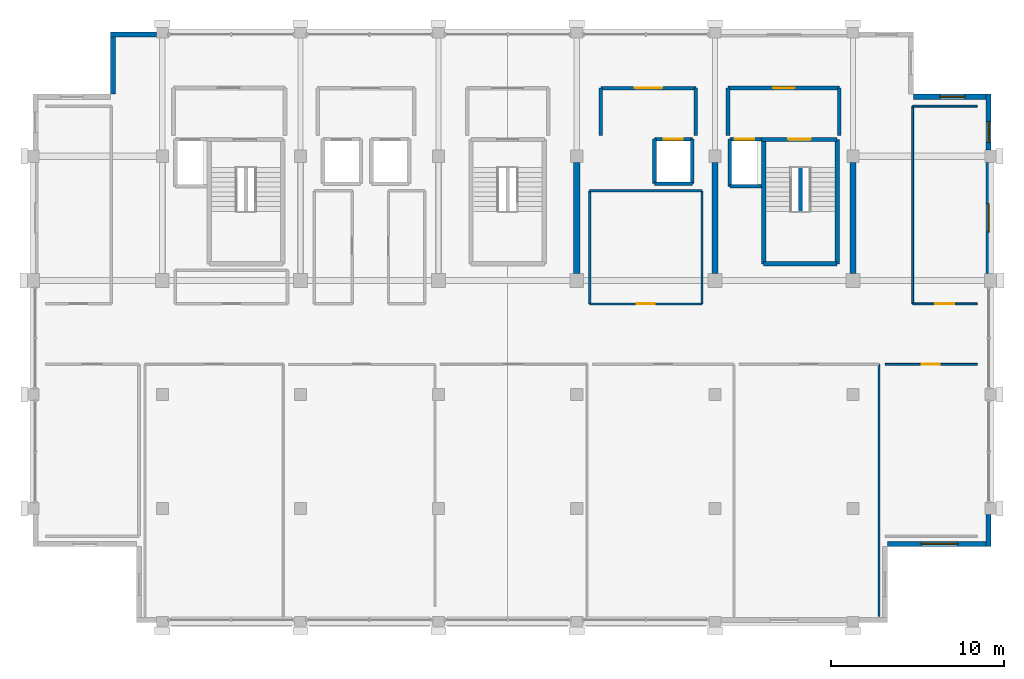
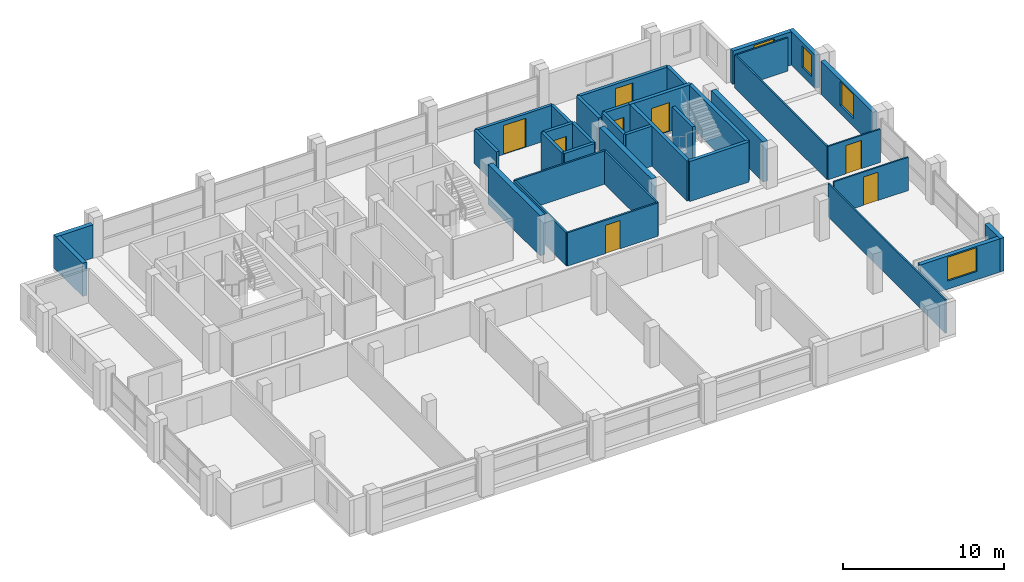
# One storey, part 22 of 24: 37 walls, 8 doors, 4 windows, 12 openings.
"""IFC4 building model written with IfcOpenShell, lengths in metres."""

from ifc_helpers import new_model, si_unit, direction, frame, frame_2d, origin, place, context, subcontext, project, spatial, rectangle, extrude, material, layer, layer_set, type_object, element, fill, save


model = new_model("IFC4")

# Units and contexts
model_context = context("Model", 3, precision=1e-05, world=origin(), true_north=direction((0.0, 1.0)))
body_context = subcontext(model_context, "Body", "Model", "MODEL_VIEW")
ifc_project = project(units=[si_unit("LENGTHUNIT", "METRE"), si_unit("AREAUNIT", "SQUARE_METRE"), si_unit("VOLUMEUNIT", "CUBIC_METRE"), si_unit("PLANEANGLEUNIT", "RADIAN"), si_unit("MASSUNIT", "GRAM", prefix="KILO")], contexts=[model_context])

# Site, building, storey
site_placement = place(None, origin())
site = spatial("IfcSite", under=ifc_project, at=site_placement, CompositionType="ELEMENT")
building_placement = place(site_placement, origin())
building = spatial("IfcBuilding", under=site, at=building_placement, Name="Akrevak Sports Hall", CompositionType="ELEMENT")
storey_placement = place(building_placement, frame((0.0, 0.0, 56.800048828125)))
storey = spatial("IfcBuildingStorey", under=building, at=storey_placement, Name="L14", CompositionType="ELEMENT", Elevation=56.800048828125)

# Wall, opening, window
ifc_material_1 = material(Name="Limestone Ashlar", Category="stone")
ifc_layer_1 = layer(ifc_material_1, 0.06005859375, Name="Limestone Ashlar")
ifc_material_2 = material(Name="Mineral Wool Thermal Insulation", Category="insulation")
ifc_layer_2 = layer(ifc_material_2, 0.090087890625, Name="Mineral Wool Thermal Insulation")
ifc_material_3 = material(Name="Concrete C40/50", Category="concrete")
ifc_layer_3 = layer(ifc_material_3, 0.14990234375, Name="Concrete C40/50")
ifc_layer_set_1 = layer_set([ifc_layer_1, ifc_layer_2, ifc_layer_3], Name="Limestone Ashlar / Mineral Wool Thermal Insulation / Concrete C40/50")
wall_type_1 = type_object("IfcWallType", Name="ARC-WL-EXT-300", PredefinedType="SOLIDWALL", material=ifc_layer_set_1)
wall_1_placement = place(storey_placement, frame((102.0, 39.949951171875, 0.0), z_axis=(0.0, 0.0, 1.0), x_axis=(1.0, 0.0, 0.0)))
wall_1 = element("IfcWall", 1, at=wall_1_placement, inside=storey, type_object=wall_type_1, Name="Tower Stone Facade Wall L14-S09", PredefinedType="SOLIDWALL", context=body_context, shape_type="SweptSolid", body=[
    extrude(rectangle(XDim=6.0, YDim=0.300048828125, at=frame_2d((3.0, 0.0))), origin(), (0.0, 0.0, 1.0), 2.530029296875),
])
opening_1_placement = place(wall_1_placement, frame((1.949951171875, 0.0, 0.6201171875)))
opening_1 = element("IfcOpeningElement", 2, at=opening_1_placement, cuts=wall_1, Name="Opening WN-55", PredefinedType="OPENING", context=body_context, shape_type="SweptSolid", body=[
    extrude(rectangle(XDim=2.10009765625, YDim=1.81005859375, at=frame_2d((1.050048828125, 0.905029296875))), frame((0.0, 0.162109375, 0.0), z_axis=(0.0, -1.0, 0.0), x_axis=(1.0, 0.0, 0.0)), (0.0, 0.0, 1.0), 0.323974609375),
])
ifc_material_4 = material(Name="Thermally Broken Bronze Frame & Double Low-E Glass", Category="glass")
window_type_1 = type_object("IfcWindowType", Name="ARC-WIN-SZ-2100x1810", PartitioningType="SINGLE_PANEL", PredefinedType="WINDOW", material=ifc_material_4)
window_1_placement = place(opening_1_placement, origin())
window_1 = element("IfcWindow", 3, at=window_1_placement, inside=storey, type_object=window_type_1, Name="Tower Window L14-S09", OverallHeight=1.81005859375, OverallWidth=2.10009765625, PartitioningType="SINGLE_PANEL", PredefinedType="WINDOW", context=body_context, shape_type="SweptSolid", body=[
    extrude(rectangle(XDim=2.10009765625, YDim=1.81005859375, at=frame_2d((1.050048828125, 0.905029296875))), frame((0.0, 0.030029296875, 0.0), z_axis=(0.0, -1.0, 0.0), x_axis=(1.0, 0.0, 0.0)), (0.0, 0.0, 1.0), 0.06005859375),
])
fill(opening_1, window_1)

# Wall
wall_2_placement = place(storey_placement, frame((107.85009765625, 39.800048828125, 0.0), z_axis=(0.0, 0.0, 1.0), x_axis=(0.0, 1.0, 0.0)))
element("IfcWall", 4, at=wall_2_placement, inside=storey, type_object=wall_type_1, Name="Tower Stone Facade Wall L14-E10", PredefinedType="SOLIDWALL", context=body_context, shape_type="SweptSolid", body=[
    extrude(rectangle(XDim=1.849853515625, YDim=0.300048828125, at=frame_2d((0.9248046875, 0.0))), origin(), (0.0, 0.0, 1.0), 2.530029296875),
])

# Wall, opening, window
wall_3_placement = place(storey_placement, frame((107.85009765625, 55.60009765625, 0.0), z_axis=(0.0, 0.0, 1.0), x_axis=(0.0, 1.0, 0.0)))
wall_3 = element("IfcWall", 5, at=wall_3_placement, inside=storey, type_object=wall_type_1, Name="Tower Stone Facade Wall L14-E13", PredefinedType="SOLIDWALL", context=body_context, shape_type="SweptSolid", body=[
    extrude(rectangle(XDim=6.449951171875, YDim=0.300048828125, at=frame_2d((3.22509765625, 0.0))), origin(), (0.0, 0.0, 1.0), 2.530029296875),
])
opening_2_placement = place(wall_3_placement, frame((2.39990234375, 0.0, 0.6201171875)))
opening_2 = element("IfcOpeningElement", 6, at=opening_2_placement, cuts=wall_3, Name="Opening WN-58", PredefinedType="OPENING", context=body_context, shape_type="SweptSolid", body=[
    extrude(rectangle(XDim=1.64990234375, YDim=1.81005859375, at=frame_2d((0.824951171875, 0.905029296875))), frame((0.0, 0.162109375, 0.0), z_axis=(0.0, -1.0, 0.0), x_axis=(1.0, 0.0, 0.0)), (0.0, 0.0, 1.0), 0.323974609375),
])
window_type_2 = type_object("IfcWindowType", Name="ARC-WIN-SZ-1650x1810", PartitioningType="SINGLE_PANEL", PredefinedType="WINDOW", material=ifc_material_4)
window_2_placement = place(opening_2_placement, origin())
window_2 = element("IfcWindow", 7, at=window_2_placement, inside=storey, type_object=window_type_2, Name="Tower Window L14-E13", OverallHeight=1.81005859375, OverallWidth=1.64990234375, PartitioningType="SINGLE_PANEL", PredefinedType="WINDOW", context=body_context, shape_type="SweptSolid", body=[
    extrude(rectangle(XDim=1.64990234375, YDim=1.81005859375, at=frame_2d((0.824951171875, 0.905029296875))), frame((0.0, 0.030029296875, 0.0), z_axis=(0.0, -1.0, 0.0), x_axis=(1.0, 0.0, 0.0)), (0.0, 0.0, 1.0), 0.06005859375),
])
fill(opening_2, window_2)

wall_4_placement = place(storey_placement, frame((107.85009765625, 62.75, 0.0), z_axis=(0.0, 0.0, 1.0), x_axis=(0.0, 1.0, 0.0)))
wall_4 = element("IfcWall", 8, at=wall_4_placement, inside=storey, type_object=wall_type_1, Name="Tower Stone Facade Wall L14-E14", PredefinedType="SOLIDWALL", context=body_context, shape_type="SweptSolid", body=[
    extrude(rectangle(XDim=3.25, YDim=0.300048828125, at=frame_2d((1.625, 0.0))), origin(), (0.0, 0.0, 1.0), 2.530029296875),
])
opening_3_placement = place(wall_4_placement, frame((0.449951171875, 0.0, 0.6201171875)))
opening_3 = element("IfcOpeningElement", 9, at=opening_3_placement, cuts=wall_4, Name="Opening WN-45", PredefinedType="OPENING", context=body_context, shape_type="SweptSolid", body=[
    extrude(rectangle(XDim=1.199951171875, YDim=1.64990234375, at=frame_2d((0.60009765625, 0.824951171875))), frame((0.0, 0.162109375, 0.0), z_axis=(0.0, -1.0, 0.0), x_axis=(1.0, 0.0, 0.0)), (0.0, 0.0, 1.0), 0.323974609375),
])
window_type_3 = type_object("IfcWindowType", Name="ARC-WIN-SZ-1200x1650", PartitioningType="SINGLE_PANEL", PredefinedType="WINDOW", material=ifc_material_4)
window_3_placement = place(opening_3_placement, origin())
window_3 = element("IfcWindow", 10, at=window_3_placement, inside=storey, type_object=window_type_3, Name="Tower Window L14-E14", OverallHeight=1.64990234375, OverallWidth=1.199951171875, PartitioningType="SINGLE_PANEL", PredefinedType="WINDOW", context=body_context, shape_type="SweptSolid", body=[
    extrude(rectangle(XDim=1.199951171875, YDim=1.64990234375, at=frame_2d((0.60009765625, 0.824951171875))), frame((0.0, 0.030029296875, 0.0), z_axis=(0.0, -1.0, 0.0), x_axis=(1.0, 0.0, 0.0)), (0.0, 0.0, 1.0), 0.06005859375),
])
fill(opening_3, window_3)

wall_5_placement = place(storey_placement, frame((108.0, 65.85009765625, 0.0), z_axis=(0.0, 0.0, 1.0), x_axis=(-1.0, 0.0, 0.0)))
wall_5 = element("IfcWall", 11, at=wall_5_placement, inside=storey, type_object=wall_type_1, Name="Tower Stone Facade Wall L14-N15", PredefinedType="SOLIDWALL", context=body_context, shape_type="SweptSolid", body=[
    extrude(rectangle(XDim=4.5, YDim=0.300048828125, at=frame_2d((2.25, 0.0))), origin(), (0.0, 0.0, 1.0), 2.530029296875),
])
opening_4_placement = place(wall_5_placement, frame((1.52490234375, 0.0, 0.6201171875)))
opening_4 = element("IfcOpeningElement", 12, at=opening_4_placement, cuts=wall_5, Name="Opening WN-51", PredefinedType="OPENING", context=body_context, shape_type="SweptSolid", body=[
    extrude(rectangle(XDim=1.449951171875, YDim=1.81005859375, at=frame_2d((0.72509765625, 0.905029296875))), frame((0.0, 0.162109375, 0.0), z_axis=(0.0, -1.0, 0.0), x_axis=(1.0, 0.0, 0.0)), (0.0, 0.0, 1.0), 0.323974609375),
])
window_type_4 = type_object("IfcWindowType", Name="ARC-WIN-SZ-1450x1810", PartitioningType="SINGLE_PANEL", PredefinedType="WINDOW", material=ifc_material_4)
window_4_placement = place(opening_4_placement, origin())
window_4 = element("IfcWindow", 13, at=window_4_placement, inside=storey, type_object=window_type_4, Name="Tower Window L14-N15", OverallHeight=1.81005859375, OverallWidth=1.449951171875, PartitioningType="SINGLE_PANEL", PredefinedType="WINDOW", context=body_context, shape_type="SweptSolid", body=[
    extrude(rectangle(XDim=1.449951171875, YDim=1.81005859375, at=frame_2d((0.72509765625, 0.905029296875))), frame((0.0, 0.030029296875, 0.0), z_axis=(0.0, -1.0, 0.0), x_axis=(1.0, 0.0, 0.0)), (0.0, 0.0, 1.0), 0.06005859375),
])
fill(opening_4, window_4)

# Walls
wall_6_placement = place(storey_placement, frame((59.64990234375, 69.449951171875, 0.0), z_axis=(0.0, 0.0, 1.0), x_axis=(-1.0, 0.0, 0.0)))
element("IfcWall", 14, at=wall_6_placement, inside=storey, type_object=wall_type_1, Name="Tower Stone Facade Wall L14-N23", PredefinedType="SOLIDWALL", context=body_context, shape_type="SweptSolid", body=[
    extrude(rectangle(XDim=2.64990234375, YDim=0.300048828125, at=frame_2d((1.324951171875, 0.0))), origin(), (0.0, 0.0, 1.0), 2.530029296875),
])
wall_7_placement = place(storey_placement, frame((57.14990234375, 69.60009765625, 0.0), z_axis=(0.0, 0.0, 1.0), x_axis=(0.0, -1.0, 0.0)))
element("IfcWall", 15, at=wall_7_placement, inside=storey, type_object=wall_type_1, Name="Tower Stone Facade Wall L14-W24", PredefinedType="SOLIDWALL", context=body_context, shape_type="SweptSolid", body=[
    extrude(rectangle(XDim=3.60009765625, YDim=0.300048828125, at=frame_2d((1.800048828125, 0.0))), origin(), (0.0, 0.0, 1.0), 2.530029296875),
])
ifc_material_5 = material(Name="Lightweight Office Partition", Category="gypsum")
ifc_layer_4 = layer(ifc_material_5, 0.110107421875, Name="Lightweight Office Partition")
ifc_layer_set_2 = layer_set([ifc_layer_4], Name="Lightweight Office Partition")
wall_type_2 = type_object("IfcWallType", Name="ARC-WL-PRT-110", PredefinedType="PARTITIONING", material=ifc_layer_set_2)
wall_8_placement = place(storey_placement, frame((101.5, 35.75, 0.0), z_axis=(0.0, 0.0, 1.0), x_axis=(0.0, 1.0, 0.0)))
element("IfcWall", 16, at=wall_8_placement, inside=storey, type_object=wall_type_2, Name="Interior Partition Disciplinary Tribunal Chamber (L14) (E)", PredefinedType="PARTITIONING", context=body_context, shape_type="SweptSolid", body=[
    extrude(rectangle(XDim=14.60009765625, YDim=0.110107421875, at=frame_2d((7.300048828125, 0.0))), origin(), (0.0, 0.0, 1.0), 2.530029296875),
])

# Wall, opening, door
wall_9_placement = place(storey_placement, frame((101.85009765625, 50.35009765625, 0.0), z_axis=(0.0, 0.0, 1.0), x_axis=(1.0, 0.0, 0.0)))
wall_9 = element("IfcWall", 17, at=wall_9_placement, inside=storey, type_object=wall_type_2, Name="Interior Partition Athletic Compliance Office East (L14) (N)", PredefinedType="PARTITIONING", context=body_context, shape_type="SweptSolid", body=[
    extrude(rectangle(XDim=5.349853515625, YDim=0.110107421875, at=frame_2d((2.6748046875, 0.0))), origin(), (0.0, 0.0, 1.0), 2.530029296875),
])
opening_5_placement = place(wall_9_placement, frame((2.125, 0.0, 0.0)))
opening_5 = element("IfcOpeningElement", 18, at=opening_5_placement, cuts=wall_9, Name="Opening ID-05", PredefinedType="OPENING", context=body_context, shape_type="SweptSolid", body=[
    extrude(rectangle(XDim=1.050048828125, YDim=2.14990234375, at=frame_2d((0.52490234375, 1.074951171875))), frame((0.0, 0.06689453125, 0.0), z_axis=(0.0, -1.0, 0.0), x_axis=(1.0, 0.0, 0.0)), (0.0, 0.0, 1.0), 0.134033203125),
])
ifc_material_6 = material(Name="Hardwood Oak Acoustic Leaf", Category="wood")
door_type_1 = type_object("IfcDoorType", Name="ARC-DR-OFF-105x215", OperationType="NOTDEFINED", PredefinedType="DOOR", material=ifc_material_6)
door_1_placement = place(opening_5_placement, origin())
door_1 = element("IfcDoor", 19, at=door_1_placement, inside=storey, type_object=door_type_1, Name="Door to Athletic Compliance Office East (L14)", OperationType="SINGLE_SWING_LEFT", OverallHeight=2.14990234375, OverallWidth=1.050048828125, PredefinedType="DOOR", context=body_context, shape_type="SweptSolid", body=[
    extrude(rectangle(XDim=1.050048828125, YDim=2.14990234375, at=frame_2d((0.52490234375, 1.074951171875))), frame((0.0, 0.02490234375, 0.0), z_axis=(0.0, -1.0, 0.0), x_axis=(1.0, 0.0, 0.0)), (0.0, 0.0, 1.0), 0.050048828125),
])
fill(opening_5, door_1)

wall_10_placement = place(storey_placement, frame((103.449951171875, 53.85009765625, 0.0), z_axis=(0.0, 0.0, 1.0), x_axis=(1.0, 0.0, 0.0)))
wall_10 = element("IfcWall", 20, at=wall_10_placement, inside=storey, type_object=wall_type_2, Name="Interior Partition Sports Science Research Office (L14) (S)", PredefinedType="PARTITIONING", context=body_context, shape_type="SweptSolid", body=[
    extrude(rectangle(XDim=3.75, YDim=0.110107421875, at=frame_2d((1.875, 0.0))), origin(), (0.0, 0.0, 1.0), 2.530029296875),
])
opening_6_placement = place(wall_10_placement, frame((1.300048828125, 0.0, 0.0)))
opening_6 = element("IfcOpeningElement", 21, at=opening_6_placement, cuts=wall_10, Name="Opening ID-04", PredefinedType="OPENING", context=body_context, shape_type="SweptSolid", body=[
    extrude(rectangle(XDim=1.10009765625, YDim=2.14990234375, at=frame_2d((0.550048828125, 1.074951171875))), frame((0.0, 0.06689453125, 0.0), z_axis=(0.0, -1.0, 0.0), x_axis=(1.0, 0.0, 0.0)), (0.0, 0.0, 1.0), 0.134033203125),
])
door_type_2 = type_object("IfcDoorType", Name="ARC-DR-OFF-110x215", OperationType="NOTDEFINED", PredefinedType="DOOR", material=ifc_material_6)
door_2_placement = place(opening_6_placement, origin())
door_2 = element("IfcDoor", 22, at=door_2_placement, inside=storey, type_object=door_type_2, Name="Door to Sports Science Research Office (L14)", OperationType="SINGLE_SWING_LEFT", OverallHeight=2.14990234375, OverallWidth=1.10009765625, PredefinedType="DOOR", context=body_context, shape_type="SweptSolid", body=[
    extrude(rectangle(XDim=1.10009765625, YDim=2.14990234375, at=frame_2d((0.550048828125, 1.074951171875))), frame((0.0, 0.02490234375, 0.0), z_axis=(0.0, -1.0, 0.0), x_axis=(1.0, 0.0, 0.0)), (0.0, 0.0, 1.0), 0.050048828125),
])
fill(opening_6, door_2)

# Walls
wall_11_placement = place(storey_placement, frame((103.449951171875, 65.300048828125, 0.0), z_axis=(0.0, 0.0, 1.0), x_axis=(1.0, 0.0, 0.0)))
element("IfcWall", 23, at=wall_11_placement, inside=storey, type_object=wall_type_2, Name="Interior Partition Sports Science Research Office (L14) (N)", PredefinedType="PARTITIONING", context=body_context, shape_type="SweptSolid", body=[
    extrude(rectangle(XDim=3.75, YDim=0.110107421875, at=frame_2d((1.875, 0.0))), origin(), (0.0, 0.0, 1.0), 2.530029296875),
])
wall_12_placement = place(storey_placement, frame((103.449951171875, 53.85009765625, 0.0), z_axis=(0.0, 0.0, 1.0), x_axis=(0.0, 1.0, 0.0)))
element("IfcWall", 24, at=wall_12_placement, inside=storey, type_object=wall_type_2, Name="Interior Partition Sports Science Research Office (L14) (W)", PredefinedType="PARTITIONING", context=body_context, shape_type="SweptSolid", body=[
    extrude(rectangle(XDim=11.449951171875, YDim=0.110107421875, at=frame_2d((5.72509765625, 0.0))), origin(), (0.0, 0.0, 1.0), 2.530029296875),
])

# Wall, opening, door
ifc_material_7 = material(Name="Acoustic Metal Stud Partition", Category="gypsum")
ifc_layer_5 = layer(ifc_material_7, 0.1298828125, Name="Acoustic Metal Stud Partition")
ifc_layer_set_3 = layer_set([ifc_layer_5], Name="Acoustic Metal Stud Partition")
wall_type_3 = type_object("IfcWallType", Name="ARC-WL-PRT-130", PredefinedType="PARTITIONING", material=ifc_layer_set_3)
wall_13_placement = place(storey_placement, frame((84.75, 53.85009765625, 0.0), z_axis=(0.0, 0.0, 1.0), x_axis=(1.0, 0.0, 0.0)))
wall_13 = element("IfcWall", 25, at=wall_13_placement, inside=storey, type_object=wall_type_3, Name="Interior Partition Federation Officiating Office East (L14) (S)", PredefinedType="PARTITIONING", context=body_context, shape_type="SweptSolid", body=[
    extrude(rectangle(XDim=6.5, YDim=0.1298828125, at=frame_2d((3.25, 0.0))), origin(), (0.0, 0.0, 1.0), 2.530029296875),
])
opening_7_placement = place(wall_13_placement, frame((2.72509765625, 0.0, 0.0)))
opening_7 = element("IfcOpeningElement", 26, at=opening_7_placement, cuts=wall_13, Name="Opening ID-05", PredefinedType="OPENING", context=body_context, shape_type="SweptSolid", body=[
    extrude(rectangle(XDim=1.050048828125, YDim=2.14990234375, at=frame_2d((0.52490234375, 1.074951171875))), frame((0.0, 0.076904296875, 0.0), z_axis=(0.0, -1.0, 0.0), x_axis=(1.0, 0.0, 0.0)), (0.0, 0.0, 1.0), 0.15380859375),
])
door_3_placement = place(opening_7_placement, frame((1.050048828125, 0.0, 0.0), z_axis=(0.0, 0.0, 1.0), x_axis=(-1.0, 0.0, 0.0)))
door_3 = element("IfcDoor", 27, at=door_3_placement, inside=storey, type_object=door_type_1, Name="Door to Federation Officiating Office East (L14)", OperationType="SINGLE_SWING_RIGHT", OverallHeight=2.14990234375, OverallWidth=1.050048828125, PredefinedType="DOOR", context=body_context, shape_type="SweptSolid", body=[
    extrude(rectangle(XDim=1.050048828125, YDim=2.14990234375, at=frame_2d((0.52490234375, 1.074951171875))), frame((0.0, 0.02490234375, 0.0), z_axis=(0.0, -1.0, 0.0), x_axis=(1.0, 0.0, 0.0)), (0.0, 0.0, 1.0), 0.050048828125),
])
fill(opening_7, door_3)

# Walls
wall_14_placement = place(storey_placement, frame((84.75, 60.39990234375, 0.0), z_axis=(0.0, 0.0, 1.0), x_axis=(1.0, 0.0, 0.0)))
element("IfcWall", 28, at=wall_14_placement, inside=storey, type_object=wall_type_3, Name="Interior Partition Federation Officiating Office East (L14) (N)", PredefinedType="PARTITIONING", context=body_context, shape_type="SweptSolid", body=[
    extrude(rectangle(XDim=6.5, YDim=0.1298828125, at=frame_2d((3.25, 0.0))), origin(), (0.0, 0.0, 1.0), 2.530029296875),
])
for number, where, z_axis, x_axis, name in (
    (29, (84.75, 53.85009765625, 0.0), (0.0, 0.0, 1.0), (0.0, 1.0, 0.0), "Interior Partition Federation Officiating Office East (L14) (W)"),
    (30, (91.25, 53.85009765625, 0.0), (0.0, 0.0, 1.0), (0.0, 1.0, 0.0), "Interior Partition Federation Officiating Office East (L14) (E)"),
):
    element("IfcWall", number, at=place(storey_placement, frame(where, z_axis=z_axis, x_axis=x_axis)), inside=storey, type_object=wall_type_3, Name=name, PredefinedType="PARTITIONING", context=body_context, shape_type="SweptSolid", body=[
        extrude(rectangle(XDim=6.5498046875, YDim=0.1298828125, at=frame_2d((3.27490234375, 0.0))), origin(), (0.0, 0.0, 1.0), 2.530029296875),
    ])

# Wall, opening, door
ifc_material_8 = material(Name="Autoclaved Aerated Masonry Block", Category="masonry")
ifc_layer_6 = layer(ifc_material_8, 0.199951171875, Name="Autoclaved Aerated Masonry Block")
ifc_layer_set_4 = layer_set([ifc_layer_6], Name="Autoclaved Aerated Masonry Block")
wall_type_4 = type_object("IfcWallType", Name="ARC-WL-PRT-200", PredefinedType="PARTITIONING", material=ifc_layer_set_4)
wall_15_placement = place(storey_placement, frame((85.39990234375, 66.35009765625, 0.0), z_axis=(0.0, 0.0, 1.0), x_axis=(1.0, 0.0, 0.0)))
wall_15 = element("IfcWall", 31, at=wall_15_placement, inside=storey, type_object=wall_type_4, Name="Interior Partition East Passenger Lift Lobby L14 (N)", PredefinedType="PARTITIONING", context=body_context, shape_type="SweptSolid", body=[
    extrude(rectangle(XDim=5.5, YDim=0.199951171875, at=frame_2d((2.75, 0.0))), origin(), (0.0, 0.0, 1.0), 2.530029296875),
])
opening_8_placement = place(wall_15_placement, frame((1.949951171875, 0.0, 0.0)))
opening_8 = element("IfcOpeningElement", 32, at=opening_8_placement, cuts=wall_15, Name="Opening ID-03", PredefinedType="OPENING", context=body_context, shape_type="SweptSolid", body=[
    extrude(rectangle(XDim=1.60009765625, YDim=2.199951171875, at=frame_2d((0.800048828125, 1.10009765625))), frame((0.0, 0.11181640625, 0.0), z_axis=(0.0, -1.0, 0.0), x_axis=(1.0, 0.0, 0.0)), (0.0, 0.0, 1.0), 0.223876953125),
])
ifc_material_9 = material(Name="Hardwood Oak & Safety Glass", Category="wood")
door_type_3 = type_object("IfcDoorType", Name="ARC-DR-HALL-160x220", OperationType="DOUBLE_DOOR_SINGLE_SWING", PredefinedType="DOOR", material=ifc_material_9)
door_4_placement = place(opening_8_placement, origin())
door_4 = element("IfcDoor", 33, at=door_4_placement, inside=storey, type_object=door_type_3, Name="Door to East Passenger Lift Lobby L14", OperationType="DOUBLE_DOOR_SINGLE_SWING", OverallHeight=2.199951171875, OverallWidth=1.60009765625, PredefinedType="DOOR", context=body_context, shape_type="SweptSolid", body=[
    extrude(rectangle(XDim=1.60009765625, YDim=2.199951171875, at=frame_2d((0.800048828125, 1.10009765625))), frame((0.0, 0.02490234375, 0.0), z_axis=(0.0, -1.0, 0.0), x_axis=(1.0, 0.0, 0.0)), (0.0, 0.0, 1.0), 0.050048828125),
])
fill(opening_8, door_4)

# Walls
for number, where, z_axis, x_axis, name in (
    (34, (85.39990234375, 63.60009765625, 0.0), (0.0, 0.0, 1.0), (0.0, 1.0, 0.0), "Interior Partition East Passenger Lift Lobby L14 (W)"),
    (35, (90.89990234375, 63.60009765625, 0.0), (0.0, 0.0, 1.0), (0.0, 1.0, 0.0), "Interior Partition East Passenger Lift Lobby L14 (E)"),
):
    element("IfcWall", number, at=place(storey_placement, frame(where, z_axis=z_axis, x_axis=x_axis)), inside=storey, type_object=wall_type_4, Name=name, PredefinedType="PARTITIONING", context=body_context, shape_type="SweptSolid", body=[
        extrude(rectangle(XDim=2.75, YDim=0.199951171875, at=frame_2d((1.375, 0.0))), origin(), (0.0, 0.0, 1.0), 2.530029296875),
    ])
ifc_layer_7 = layer(ifc_material_3, 0.219970703125, Name="Concrete C40/50")
ifc_layer_set_5 = layer_set([ifc_layer_7], Name="Concrete C40/50")
wall_type_5 = type_object("IfcWallType", Name="ARC-WL-PRT-220", PredefinedType="PARTITIONING", material=ifc_layer_set_5)
wall_16_placement = place(storey_placement, frame((96.949951171875, 59.215087890625, 0.0), z_axis=(0.0, 0.0, 1.0), x_axis=(0.0, 1.0, 0.0)))
element("IfcWall", 36, at=wall_16_placement, inside=storey, type_object=wall_type_5, Name="Stair ST2 Central Spine Wall (L14)", PredefinedType="PARTITIONING", context=body_context, shape_type="SweptSolid", body=[
    extrude(rectangle(XDim=2.52001953125, YDim=0.219970703125, at=frame_2d((1.260009765625, 0.0))), origin(), (0.0, 0.0, 1.0), 3.0400390625),
])

# Wall, opening, door
wall_17_placement = place(storey_placement, frame((92.75, 66.35009765625, 0.0), z_axis=(0.0, 0.0, 1.0), x_axis=(1.0, 0.0, 0.0)))
wall_17 = element("IfcWall", 37, at=wall_17_placement, inside=storey, type_object=wall_type_5, Name="Interior Partition Firefighting Lobby East L14 (N)", PredefinedType="PARTITIONING", context=body_context, shape_type="SweptSolid", body=[
    extrude(rectangle(XDim=6.449951171875, YDim=0.219970703125, at=frame_2d((3.22509765625, 0.0))), origin(), (0.0, 0.0, 1.0), 2.530029296875),
])
opening_9_placement = place(wall_17_placement, frame((2.625, 0.0, 0.0)))
opening_9 = element("IfcOpeningElement", 38, at=opening_9_placement, cuts=wall_17, Name="Opening FD-01", PredefinedType="OPENING", context=body_context, shape_type="SweptSolid", body=[
    extrude(rectangle(XDim=1.25, YDim=2.199951171875, at=frame_2d((0.625, 1.10009765625))), frame((0.0, 0.1220703125, 0.0), z_axis=(0.0, -1.0, 0.0), x_axis=(1.0, 0.0, 0.0)), (0.0, 0.0, 1.0), 0.243896484375),
])
ifc_material_10 = material(Name="Fire-Rated Galvanized Door Steel", Category="steel")
door_type_4 = type_object("IfcDoorType", Name="ARC-DR-FFL-125x220", OperationType="NOTDEFINED", PredefinedType="DOOR", material=ifc_material_10)
door_5_placement = place(opening_9_placement, frame((1.25, 0.0, 0.0), z_axis=(0.0, 0.0, 1.0), x_axis=(-1.0, 0.0, 0.0)))
door_5 = element("IfcDoor", 39, at=door_5_placement, inside=storey, type_object=door_type_4, Name="Door to Firefighting Lobby East L14", OperationType="SINGLE_SWING_RIGHT", OverallHeight=2.199951171875, OverallWidth=1.25, PredefinedType="DOOR", context=body_context, shape_type="SweptSolid", body=[
    extrude(rectangle(XDim=1.25, YDim=2.199951171875, at=frame_2d((0.625, 1.10009765625))), frame((0.0, 0.02490234375, 0.0), z_axis=(0.0, -1.0, 0.0), x_axis=(1.0, 0.0, 0.0)), (0.0, 0.0, 1.0), 0.050048828125),
])
fill(opening_9, door_5)

# Walls
for number, where, z_axis, x_axis, name in (
    (40, (92.75, 63.60009765625, 0.0), (0.0, 0.0, 1.0), (0.0, 1.0, 0.0), "Interior Partition Firefighting Lobby East L14 (W)"),
    (41, (99.199951171875, 63.60009765625, 0.0), (0.0, 0.0, 1.0), (0.0, 1.0, 0.0), "Interior Partition Firefighting Lobby East L14 (E)"),
):
    element("IfcWall", number, at=place(storey_placement, frame(where, z_axis=z_axis, x_axis=x_axis)), inside=storey, type_object=wall_type_5, Name=name, PredefinedType="PARTITIONING", context=body_context, shape_type="SweptSolid", body=[
        extrude(rectangle(XDim=2.75, YDim=0.219970703125, at=frame_2d((1.375, 0.0))), origin(), (0.0, 0.0, 1.0), 2.530029296875),
    ])
ifc_material_11 = material(Name="Concrete C50/60", Category="concrete")
ifc_layer_8 = layer(ifc_material_11, 0.219970703125, Name="Concrete C50/60")
ifc_layer_set_6 = layer_set([ifc_layer_8], Name="Concrete C50/60")
wall_type_6 = type_object("IfcWallType", Name="ARC-WL-SHAFT-220", PredefinedType="SHEAR", material=ifc_layer_set_6)
wall_18_placement = place(storey_placement, frame((92.860107421875, 60.659912109375, 0.0), z_axis=(0.0, 0.0, 1.0), x_axis=(1.0, 0.0, 0.0)))
element("IfcWall", 42, at=wall_18_placement, inside=storey, type_object=wall_type_6, Name="Lift Shaft LF-FF2 Wall S (L14)", PredefinedType="SHEAR", context=body_context, shape_type="SweptSolid", body=[
    extrude(rectangle(XDim=1.83984375, YDim=0.219970703125, at=frame_2d((0.919921875, 0.0))), origin(), (0.0, 0.0, 1.0), 3.0400390625),
])

# Wall, opening, door
wall_19_placement = place(storey_placement, frame((94.699951171875, 63.389892578125, 0.0), z_axis=(0.0, 0.0, 1.0), x_axis=(-1.0, 0.0, 0.0)))
wall_19 = element("IfcWall", 43, at=wall_19_placement, inside=storey, type_object=wall_type_6, Name="Lift Shaft LF-FF2 Wall N (L14)", PredefinedType="SHEAR", context=body_context, shape_type="SweptSolid", body=[
    extrude(rectangle(XDim=1.83984375, YDim=0.219970703125, at=frame_2d((0.919921875, 0.0))), origin(), (0.0, 0.0, 1.0), 3.0400390625),
])
opening_10_placement = place(wall_19_placement, frame((0.425048828125, 0.0, 0.0)))
opening_10 = element("IfcOpeningElement", 44, at=opening_10_placement, cuts=wall_19, Name="Opening LD-01", PredefinedType="OPENING", context=body_context, shape_type="SweptSolid", body=[
    extrude(rectangle(XDim=1.10009765625, YDim=2.199951171875, at=frame_2d((0.550048828125, 1.10009765625))), frame((0.0, 0.1220703125, 0.0), z_axis=(0.0, -1.0, 0.0), x_axis=(1.0, 0.0, 0.0)), (0.0, 0.0, 1.0), 0.243896484375),
])
ifc_material_12 = material(Name="Brushed Stainless Steel 304", Category="steel")
door_type_5 = type_object("IfcDoorType", Name="ARC-DR-LD-110x220", OperationType="SLIDING_TO_LEFT", PredefinedType="DOOR", material=ifc_material_12)
door_6_placement = place(opening_10_placement, origin())
door_6 = element("IfcDoor", 45, at=door_6_placement, inside=storey, type_object=door_type_5, Name="Lift LF-FF2 Sliding Landing Door (L14)", OperationType="SLIDING_TO_LEFT", OverallHeight=2.199951171875, OverallWidth=1.10009765625, PredefinedType="DOOR", context=body_context, shape_type="SweptSolid", body=[
    extrude(rectangle(XDim=1.10009765625, YDim=2.199951171875, at=frame_2d((0.550048828125, 1.10009765625))), frame((0.0, 0.02490234375, 0.0), z_axis=(0.0, -1.0, 0.0), x_axis=(1.0, 0.0, 0.0)), (0.0, 0.0, 1.0), 0.050048828125),
])
fill(opening_10, door_6)

# Walls
wall_20_placement = place(storey_placement, frame((92.860107421875, 63.389892578125, 0.0), z_axis=(0.0, 0.0, 1.0), x_axis=(0.0, -1.0, 0.0)))
element("IfcWall", 46, at=wall_20_placement, inside=storey, type_object=wall_type_6, Name="Lift Shaft LF-FF2 Wall W (L14)", PredefinedType="SHEAR", context=body_context, shape_type="SweptSolid", body=[
    extrude(rectangle(XDim=2.72998046875, YDim=0.219970703125, at=frame_2d((1.364990234375, 0.0))), origin(), (0.0, 0.0, 1.0), 3.0400390625),
])
wall_21_placement = place(storey_placement, frame((88.510009765625, 60.81005859375, 0.0), z_axis=(0.0, 0.0, 1.0), x_axis=(1.0, 0.0, 0.0)))
element("IfcWall", 47, at=wall_21_placement, inside=storey, type_object=wall_type_6, Name="Lift Shaft LF-P4 Wall S (L14)", PredefinedType="SHEAR", context=body_context, shape_type="SweptSolid", body=[
    extrude(rectangle(XDim=2.179931640625, YDim=0.219970703125, at=frame_2d((1.08984375, 0.0))), origin(), (0.0, 0.0, 1.0), 3.0400390625),
])

# Wall, opening, door
wall_22_placement = place(storey_placement, frame((90.68994140625, 63.389892578125, 0.0), z_axis=(0.0, 0.0, 1.0), x_axis=(-1.0, 0.0, 0.0)))
wall_22 = element("IfcWall", 48, at=wall_22_placement, inside=storey, type_object=wall_type_6, Name="Lift Shaft LF-P4 Wall N (L14)", PredefinedType="SHEAR", context=body_context, shape_type="SweptSolid", body=[
    extrude(rectangle(XDim=2.179931640625, YDim=0.219970703125, at=frame_2d((1.08984375, 0.0))), origin(), (0.0, 0.0, 1.0), 3.0400390625),
])
opening_11_placement = place(wall_22_placement, frame((0.5400390625, 0.0, 0.0)))
opening_11 = element("IfcOpeningElement", 49, at=opening_11_placement, cuts=wall_22, Name="Opening LD-01", PredefinedType="OPENING", context=body_context, shape_type="SweptSolid", body=[
    extrude(rectangle(XDim=1.10009765625, YDim=2.199951171875, at=frame_2d((0.550048828125, 1.10009765625))), frame((0.0, 0.1220703125, 0.0), z_axis=(0.0, -1.0, 0.0), x_axis=(1.0, 0.0, 0.0)), (0.0, 0.0, 1.0), 0.243896484375),
])
door_7_placement = place(opening_11_placement, origin())
door_7 = element("IfcDoor", 50, at=door_7_placement, inside=storey, type_object=door_type_5, Name="Lift LF-P4 Sliding Landing Door (L14)", OperationType="SLIDING_TO_LEFT", OverallHeight=2.199951171875, OverallWidth=1.10009765625, PredefinedType="DOOR", context=body_context, shape_type="SweptSolid", body=[
    extrude(rectangle(XDim=1.10009765625, YDim=2.199951171875, at=frame_2d((0.550048828125, 1.10009765625))), frame((0.0, 0.02490234375, 0.0), z_axis=(0.0, -1.0, 0.0), x_axis=(1.0, 0.0, 0.0)), (0.0, 0.0, 1.0), 0.050048828125),
])
fill(opening_11, door_7)

# Walls
for number, where, z_axis, x_axis, name in (
    (51, (88.510009765625, 63.389892578125, 0.0), (0.0, 0.0, 1.0), (0.0, -1.0, 0.0), "Lift Shaft LF-P4 Wall W (L14)"),
    (52, (90.68994140625, 60.81005859375, 0.0), (0.0, 0.0, 1.0), (0.0, 1.0, 0.0), "Lift Shaft LF-P4 Wall E (L14)"),
):
    element("IfcWall", number, at=place(storey_placement, frame(where, z_axis=z_axis, x_axis=x_axis)), inside=storey, type_object=wall_type_6, Name=name, PredefinedType="SHEAR", context=body_context, shape_type="SweptSolid", body=[
        extrude(rectangle(XDim=2.579833984375, YDim=0.219970703125, at=frame_2d((1.2900390625, 0.0))), origin(), (0.0, 0.0, 1.0), 3.0400390625),
    ])
ifc_layer_9 = layer(ifc_material_11, 0.35009765625, Name="Concrete C50/60")
ifc_layer_set_7 = layer_set([ifc_layer_9], Name="Concrete C50/60")
wall_type_7 = type_object("IfcWallType", Name="STR-WL-CORE-350", PredefinedType="SHEAR", material=ifc_layer_set_7)
for number, where, z_axis, x_axis, name in (
    (53, (84.0, 55.60009765625, 0.0), (0.0, 0.0, 1.0), (0.0, 1.0, 0.0), "Reinforced Concrete Shear Wall SW-C2 (L14)"),
    (54, (92.0, 55.60009765625, 0.0), (0.0, 0.0, 1.0), (0.0, 1.0, 0.0), "Reinforced Concrete Shear Wall SW-E1 (L14)"),
    (55, (100.0, 55.60009765625, 0.0), (0.0, 0.0, 1.0), (0.0, 1.0, 0.0), "Reinforced Concrete Shear Wall SW-E2 (L14)"),
):
    element("IfcWall", number, at=place(storey_placement, frame(where, z_axis=z_axis, x_axis=x_axis)), inside=storey, type_object=wall_type_7, Name=name, PredefinedType="SHEAR", context=body_context, shape_type="SweptSolid", body=[
        extrude(rectangle(XDim=6.449951171875, YDim=0.35009765625, at=frame_2d((3.22509765625, 0.0))), origin(), (0.0, 0.0, 1.0), 3.0400390625),
    ])
ifc_layer_10 = layer(ifc_material_11, 0.25, Name="Concrete C50/60")
ifc_layer_set_8 = layer_set([ifc_layer_10], Name="Concrete C50/60")
wall_type_8 = type_object("IfcWallType", Name="STR-WL-STAIR-250", PredefinedType="SHEAR", material=ifc_layer_set_8)
wall_23_placement = place(storey_placement, frame((94.824951171875, 56.175048828125, 0.0), z_axis=(0.0, 0.0, 1.0), x_axis=(1.0, 0.0, 0.0)))
element("IfcWall", 56, at=wall_23_placement, inside=storey, type_object=wall_type_8, Name="Stair Core ST2 Shear Wall S (L14)", PredefinedType="SHEAR", context=body_context, shape_type="SweptSolid", body=[
    extrude(rectangle(XDim=4.25, YDim=0.25, at=frame_2d((2.125, 0.0))), origin(), (0.0, 0.0, 1.0), 3.0400390625),
])

# Wall, opening, door
wall_24_placement = place(storey_placement, frame((99.074951171875, 63.375, 0.0), z_axis=(0.0, 0.0, 1.0), x_axis=(-1.0, 0.0, 0.0)))
wall_24 = element("IfcWall", 57, at=wall_24_placement, inside=storey, type_object=wall_type_8, Name="Stair Core ST2 Shear Wall N (L14)", PredefinedType="SHEAR", context=body_context, shape_type="SweptSolid", body=[
    extrude(rectangle(XDim=4.375, YDim=0.25, at=frame_2d((2.1875, 0.0))), origin(), (0.0, 0.0, 1.0), 3.0400390625),
])
opening_12_placement = place(wall_24_placement, frame((1.53759765625, 0.0, 0.0)))
opening_12 = element("IfcOpeningElement", 58, at=opening_12_placement, cuts=wall_24, Name="Opening SD-01", PredefinedType="OPENING", context=body_context, shape_type="SweptSolid", body=[
    extrude(rectangle(XDim=1.300048828125, YDim=2.199951171875, at=frame_2d((0.64990234375, 1.10009765625))), frame((0.0, 0.136962890625, 0.0), z_axis=(0.0, -1.0, 0.0), x_axis=(1.0, 0.0, 0.0)), (0.0, 0.0, 1.0), 0.27392578125),
])
door_type_6 = type_object("IfcDoorType", Name="ARC-DR-STAIR-130x220", OperationType="NOTDEFINED", PredefinedType="DOOR", material=ifc_material_10)
door_8_placement = place(opening_12_placement, origin())
door_8 = element("IfcDoor", 59, at=door_8_placement, inside=storey, type_object=door_type_6, Name="Exit Stair ST2 Door (L14)", OperationType="SINGLE_SWING_LEFT", OverallHeight=2.199951171875, OverallWidth=1.300048828125, PredefinedType="DOOR", context=body_context, shape_type="SweptSolid", body=[
    extrude(rectangle(XDim=1.300048828125, YDim=2.199951171875, at=frame_2d((0.64990234375, 1.10009765625))), frame((0.0, 0.02490234375, 0.0), z_axis=(0.0, -1.0, 0.0), x_axis=(1.0, 0.0, 0.0)), (0.0, 0.0, 1.0), 0.050048828125),
])
fill(opening_12, door_8)

# Walls
wall_25_placement = place(storey_placement, frame((94.824951171875, 63.25, 0.0), z_axis=(0.0, 0.0, 1.0), x_axis=(0.0, -1.0, 0.0)))
element("IfcWall", 60, at=wall_25_placement, inside=storey, type_object=wall_type_8, Name="Stair Core ST2 Shear Wall W (L14)", PredefinedType="SHEAR", context=body_context, shape_type="SweptSolid", body=[
    extrude(rectangle(XDim=7.074951171875, YDim=0.25, at=frame_2d((3.53759765625, 0.0))), origin(), (0.0, 0.0, 1.0), 3.0400390625),
])
wall_26_placement = place(storey_placement, frame((99.074951171875, 56.175048828125, 0.0), z_axis=(0.0, 0.0, 1.0), x_axis=(0.0, 1.0, 0.0)))
element("IfcWall", 61, at=wall_26_placement, inside=storey, type_object=wall_type_8, Name="Stair Core ST2 Shear Wall E (L14)", PredefinedType="SHEAR", context=body_context, shape_type="SweptSolid", body=[
    extrude(rectangle(XDim=7.199951171875, YDim=0.25, at=frame_2d((3.60009765625, 0.0))), origin(), (0.0, 0.0, 1.0), 3.0400390625),
])

save(model, "model.ifc")
